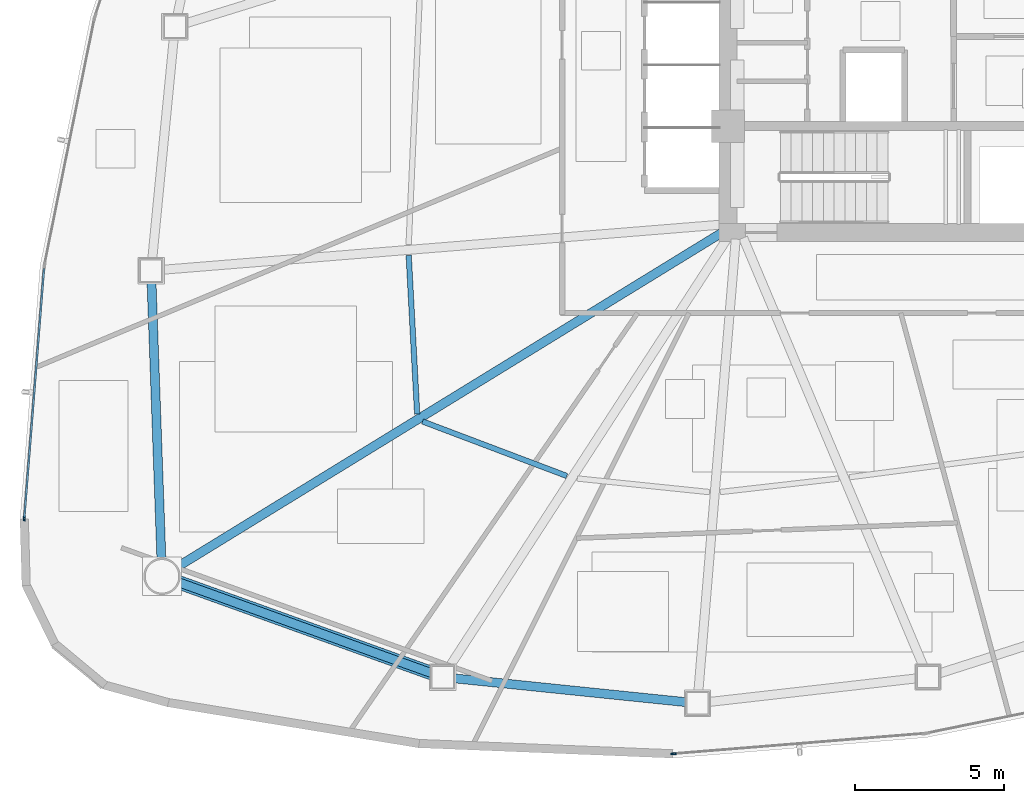
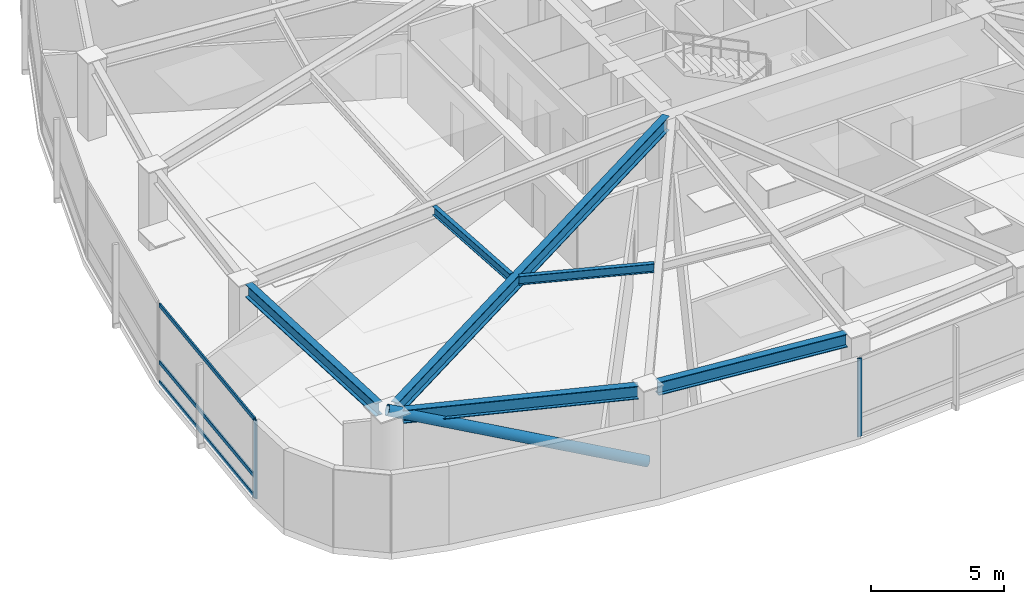
# One storey, part 2 of 18: 6 beams, 6 members, 2 elements without a shape of their own.
"""IFC4 building model written with IfcOpenShell, lengths in metres."""

from ifc_helpers import new_model, si_unit, direction, frame, origin, origin_2d, place, context, subcontext, project, spatial, hollow_rectangle, hollow_circle, i_section, extrude, source, transform, mapped, material, layer, layer_set, material_profile, profile_set, type_object, type_shapes, element, aggregate, save


model = new_model("IFC4")

# Units and contexts
model_context = context("Model", 3, precision=1e-05, world=origin(), true_north=direction((0.0, 1.0)))
body_context = subcontext(model_context, "Body", "Model", "MODEL_VIEW")
ifc_project = project(units=[si_unit("LENGTHUNIT", "METRE"), si_unit("AREAUNIT", "SQUARE_METRE"), si_unit("VOLUMEUNIT", "CUBIC_METRE"), si_unit("PLANEANGLEUNIT", "RADIAN"), si_unit("MASSUNIT", "GRAM", prefix="KILO")], contexts=[model_context])

# Site, building, storey
site_placement = place(None, origin())
site = spatial("IfcSite", under=ifc_project, at=site_placement, CompositionType="ELEMENT")
building_placement = place(site_placement, origin())
building = spatial("IfcBuilding", under=site, at=building_placement, Name="Tavelor Broadcast Tower", CompositionType="ELEMENT")
storey_placement = place(building_placement, frame((0.0, 0.0, 58.800048828125)))
storey = spatial("IfcBuildingStorey", under=building, at=storey_placement, Name="L13", CompositionType="ELEMENT", Elevation=58.800048828125)

# Beams
ifc_material_1 = material(Name="Steel S355", Category="steel")
ifc_material_profile_1 = material_profile(ifc_material_1, i_section(OverallWidth=0.179931640625, OverallDepth=0.39990234375, WebThickness=0.008544921875, FlangeThickness=0.013427734375, at=origin_2d()), Name="IPE 400")
ifc_profile_set_1 = profile_set([ifc_material_profile_1], Name="Steel S355")
beam_type_1 = type_object("IfcBeamType", Name="Composite Floor Joist T1 IPE 400", PredefinedType="JOIST", material=ifc_profile_set_1)
beam_1_placement = place(storey_placement, frame((32.413330078125, 37.73095703125, 3.39990234375), z_axis=(0.053261912521, -0.998580576956, 0.0), x_axis=(0.998580576956, 0.053261912521, 0.0)))
element("IfcBeam", 1, at=beam_1_placement, inside=storey, type_object=beam_type_1, Name="L13 Secondary Composite Floor Joist 06", PredefinedType="JOIST", context=body_context, shape_type="SweptSolid", body=[
    extrude(i_section(OverallWidth=0.179931640625, OverallDepth=0.39990234375, WebThickness=0.008544921875, FlangeThickness=0.013427734375, at=origin_2d()), origin(), (0.0, 0.0, 1.0), 5.32177734375),
])
beam_2_placement = place(storey_placement, frame((32.875732421875, 32.172119140625, 3.39990234375), z_axis=(0.935393222228, -0.353609275629, 0.0), x_axis=(0.353609275629, 0.935393222228, 0.0)))
element("IfcBeam", 2, at=beam_2_placement, inside=storey, type_object=beam_type_1, Name="L13 Secondary Composite Floor Joist 07", PredefinedType="JOIST", context=body_context, shape_type="SweptSolid", body=[
    extrude(i_section(OverallWidth=0.179931640625, OverallDepth=0.39990234375, WebThickness=0.008544921875, FlangeThickness=0.013427734375, at=origin_2d()), origin(), (0.0, 0.0, 1.0), 5.16357421875),
])
ifc_material_profile_2 = material_profile(ifc_material_1, i_section(OverallWidth=0.300048828125, OverallDepth=0.60009765625, WebThickness=0.015380859375, FlangeThickness=0.030029296875, at=origin_2d()), Name="HEB 600")
ifc_profile_set_2 = profile_set([ifc_material_profile_2], Name="Steel S355")
beam_type_2 = type_object("IfcBeamType", Name="Perimeter Spandrel Beam T1 HEB 600", PredefinedType="SPANDREL", material=ifc_profile_set_2)
beam_3_placement = place(storey_placement, frame((23.808349609375, 36.83251953125, 3.300048828125), z_axis=(0.035604109309, -0.999365972705, 0.0), x_axis=(0.999365972705, 0.035604109309, 0.0)))
element("IfcBeam", 3, at=beam_3_placement, inside=storey, type_object=beam_type_2, Name="L13 Framed-Tube Ring Spandrel 06", PredefinedType="SPANDREL", context=body_context, shape_type="SweptSolid", body=[
    extrude(i_section(OverallWidth=0.300048828125, OverallDepth=0.60009765625, WebThickness=0.015380859375, FlangeThickness=0.030029296875, at=origin_2d()), origin(), (0.0, 0.0, 1.0), 9.263916015625),
])
beam_4_placement = place(storey_placement, frame((24.709716796875, 26.7919921875, 3.300048828125), z_axis=(0.941102066303, -0.338122612081, 0.0), x_axis=(0.338122612081, 0.941102066303, 0.0)))
element("IfcBeam", 4, at=beam_4_placement, inside=storey, type_object=beam_type_2, Name="L13 Framed-Tube Ring Spandrel 07", PredefinedType="SPANDREL", context=body_context, shape_type="SweptSolid", body=[
    extrude(i_section(OverallWidth=0.300048828125, OverallDepth=0.60009765625, WebThickness=0.015380859375, FlangeThickness=0.030029296875, at=origin_2d()), origin(), (0.0, 0.0, 1.0), 9.010498046875),
])
beam_5_placement = place(storey_placement, frame((33.932861328125, 23.576416015625, 3.300048828125), z_axis=(0.994769619219, -0.102144038879, 0.0), x_axis=(0.102144038879, 0.994769619219, 0.0)))
element("IfcBeam", 5, at=beam_5_placement, inside=storey, type_object=beam_type_2, Name="L13 Framed-Tube Ring Spandrel 08", PredefinedType="SPANDREL", context=body_context, shape_type="SweptSolid", body=[
    extrude(i_section(OverallWidth=0.300048828125, OverallDepth=0.60009765625, WebThickness=0.015380859375, FlangeThickness=0.030029296875, at=origin_2d()), origin(), (0.0, 0.0, 1.0), 7.799072265625),
])

# Member
ifc_material_profile_3 = material_profile(ifc_material_1, hollow_circle(Radius=0.228515625, WallThickness=0.02001953125, at=origin_2d()), Name="CHS 457x20")
ifc_profile_set_3 = profile_set([ifc_material_profile_3], Name="Steel S355")
member_type_1 = type_object("IfcMemberType", Name="Perimeter Tube Brace T1 CHS 457x20", PredefinedType="BRACE", material=ifc_profile_set_3)
member_1_placement = place(storey_placement, frame((33.55078125, 23.615478515625, 0.0), z_axis=(-0.885264543661, 0.31806283815, 0.339326861191), x_axis=(-0.338124247145, -0.941101478849, 0.0)))
element("IfcMember", 6, at=member_1_placement, inside=storey, type_object=member_type_1, Name="L13 Corner Tube Diagonal Brace 2", PredefinedType="BRACE", context=body_context, shape_type="SweptSolid", body=[
    extrude(hollow_circle(Radius=0.228515625, WallThickness=0.02001953125, at=origin_2d()), origin(), (0.0, 0.0, 1.0), 10.60888671875),
])

# Beam
ifc_material_profile_4 = material_profile(ifc_material_1, i_section(OverallWidth=0.300048828125, OverallDepth=0.64990234375, WebThickness=0.01611328125, FlangeThickness=0.031005859375, at=origin_2d()), Name="HEB 650")
ifc_profile_set_4 = profile_set([ifc_material_profile_4], Name="Steel S355")
beam_type_3 = type_object("IfcBeamType", Name="Radial Floor Girder T1 HEB 650", PredefinedType="BEAM", material=ifc_profile_set_4)
beam_6_placement = place(storey_placement, frame((42.949951171875, 38.523681640625, 3.27490234375), z_axis=(-0.852260376483, -0.523117817205, 0.0), x_axis=(0.523117817205, -0.852260376483, 0.0)))
element("IfcBeam", 7, at=beam_6_placement, inside=storey, type_object=beam_type_3, Name="L13 Radial Primary Floor Girder 07", PredefinedType="BEAM", context=body_context, shape_type="SweptSolid", body=[
    extrude(i_section(OverallWidth=0.300048828125, OverallDepth=0.64990234375, WebThickness=0.01611328125, FlangeThickness=0.031005859375, at=origin_2d()), origin(), (0.0, 0.0, 1.0), 21.463134765625),
])

# Curtain wall, member
ifc_material_2 = material(Name="Architectural Anodized Aluminium", Category="aluminium")
ifc_layer = layer(ifc_material_2, 0.179931640625)
ifc_layer_set = layer_set([ifc_layer], Name="Architectural Anodized Aluminium")
curtain_wall_type = type_object("IfcCurtainWallType", Name="Tower Low-Zone Unitised Curtain Wall CW02", PredefinedType="NOTDEFINED", material=ifc_layer_set)
curtain_wall_1_placement = place(storey_placement, origin())
curtain_wall_1 = element("IfcCurtainWall", 8, at=curtain_wall_1_placement, inside=storey, type_object=curtain_wall_type, Name="L13 Curtain Wall CW02 Run 112", PredefinedType="NOTDEFINED")
ifc_material_profile_5 = material_profile(ifc_material_2, hollow_rectangle(XDim=0.06494140625, YDim=0.179931640625, WallThickness=0.02197265625, at=origin_2d()), Name="RHS 65x180x22")
ifc_profile_set_5 = profile_set([ifc_material_profile_5], Name="Architectural Anodized Aluminium")
member_type_2 = type_object("IfcMemberType", Name="CW02 Extruded Aluminium Mullion 65x180", PredefinedType="MULLION", material=ifc_profile_set_5)
shared_shape_1 = source(origin(), body_context, "Body", "SweptSolid", [
    extrude(hollow_rectangle(XDim=0.06494140625, YDim=0.179931640625, WallThickness=0.02197265625, at=origin_2d()), origin(), (0.0, 0.0, 1.0), 3.599853515625),
])
type_shapes(member_type_2, [shared_shape_1])
member_2_placement = place(storey_placement, frame((19.550048828125, 28.9306640625, 0.0), z_axis=(0.0, 0.0, 1.0), x_axis=(0.996885336722, -0.078864601875, 0.0)))
member_2 = element("IfcMember", 9, at=member_2_placement, type_object=member_type_2, Name="CW02 mullion 2", PredefinedType="MULLION", context=body_context, shape_type="MappedRepresentation", body=[
    mapped(shared_shape_1, transform((0.0, 0.0, 0.0), scale=1.0)),
])

curtain_wall_2_placement = place(storey_placement, origin())
curtain_wall_2 = element("IfcCurtainWall", 10, at=curtain_wall_2_placement, inside=storey, type_object=curtain_wall_type, Name="L13 Curtain Wall CW02 Run 113", PredefinedType="NOTDEFINED")
member_3_placement = place(storey_placement, frame((41.27197265625, 21.05078125, 0.0), z_axis=(0.0, 0.0, 1.0), x_axis=(-0.080629153288, 0.996744169604, 0.0)))
member_3 = element("IfcMember", 11, at=member_3_placement, type_object=member_type_2, Name="CW02 mullion 1", PredefinedType="MULLION", context=body_context, shape_type="MappedRepresentation", body=[
    mapped(shared_shape_1, transform((0.0, 0.0, 0.0), scale=1.0)),
])
aggregate(curtain_wall_2, [member_3])

# Member
ifc_material_profile_6 = material_profile(ifc_material_2, hollow_rectangle(XDim=0.06494140625, YDim=0.179931640625, WallThickness=0.02197265625, at=origin_2d()), Name="RHS 65x180x22")
ifc_profile_set_6 = profile_set([ifc_material_profile_6], Name="Architectural Anodized Aluminium")
member_type_3 = type_object("IfcMemberType", Name="CW02 Extruded Aluminium Transom 65x180", PredefinedType="USERDEFINED", material=ifc_profile_set_6)
shared_shape_2 = source(origin(), body_context, "Body", "SweptSolid", [
    extrude(hollow_rectangle(XDim=0.06494140625, YDim=0.179931640625, WallThickness=0.02197265625, at=origin_2d()), origin(), (0.0, 0.0, 1.0), 8.355712890625),
])
type_shapes(member_type_3, [shared_shape_2])
member_4_placement = place(storey_placement, frame((20.211669921875, 37.29248046875, 0.032470703125), z_axis=(-0.078861428029, -0.996885587803, 0.0), x_axis=(0.996885587803, -0.078861428029, 0.0)))
member_4 = element("IfcMember", 12, at=member_4_placement, type_object=member_type_3, Name="CW02 transom 1.1", ObjectType="TRANSOM", PredefinedType="USERDEFINED", context=body_context, shape_type="MappedRepresentation", body=[
    mapped(shared_shape_2, transform((0.0, 0.0, 0.0), scale=1.0)),
])

member_5_placement = place(storey_placement, frame((20.211669921875, 37.29248046875, 0.949951171875), z_axis=(-0.078861428029, -0.996885587803, 0.0), x_axis=(0.996885587803, -0.078861428029, 0.0)))
member_5 = element("IfcMember", 13, at=member_5_placement, type_object=member_type_3, Name="CW02 transom 1.2", ObjectType="TRANSOM", PredefinedType="USERDEFINED", context=body_context, shape_type="MappedRepresentation", body=[
    mapped(shared_shape_2, transform((0.0, 0.0, 0.0), scale=1.0)),
])

member_6_placement = place(storey_placement, frame((20.211669921875, 37.29248046875, 3.5673828125), z_axis=(-0.078861428029, -0.996885587803, 0.0), x_axis=(0.996885587803, -0.078861428029, 0.0)))
member_6 = element("IfcMember", 14, at=member_6_placement, type_object=member_type_3, Name="CW02 transom 1.3", ObjectType="TRANSOM", PredefinedType="USERDEFINED", context=body_context, shape_type="MappedRepresentation", body=[
    mapped(shared_shape_2, transform((0.0, 0.0, 0.0), scale=1.0)),
])

aggregate(curtain_wall_1, [member_2, member_4, member_5, member_6])

save(model, "model.ifc")
